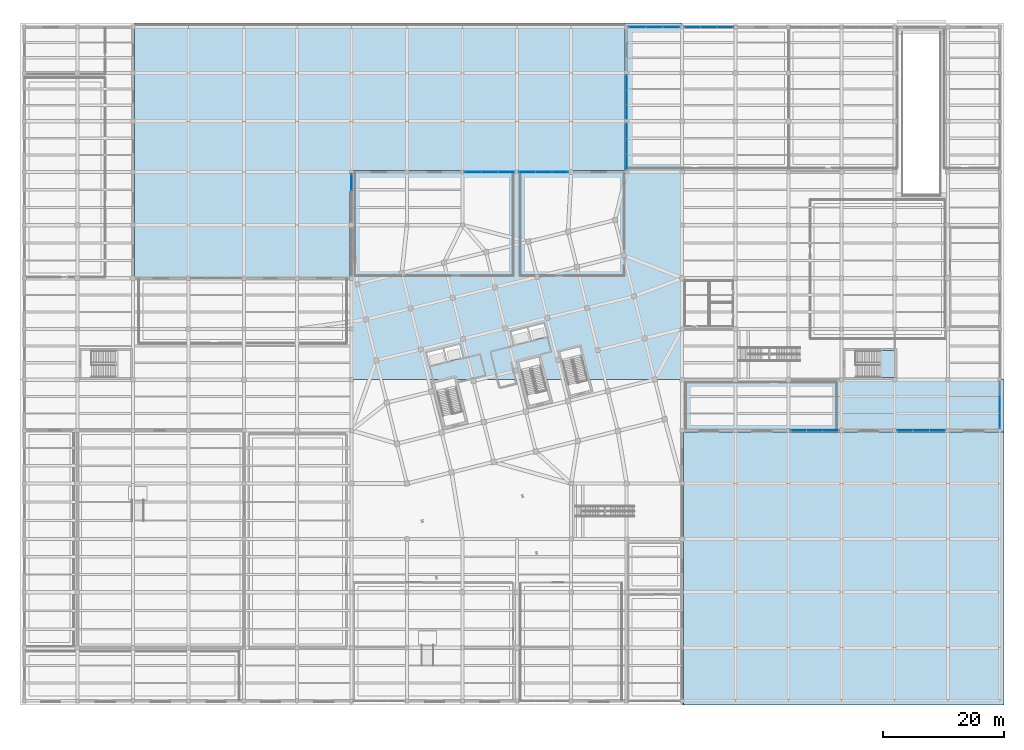
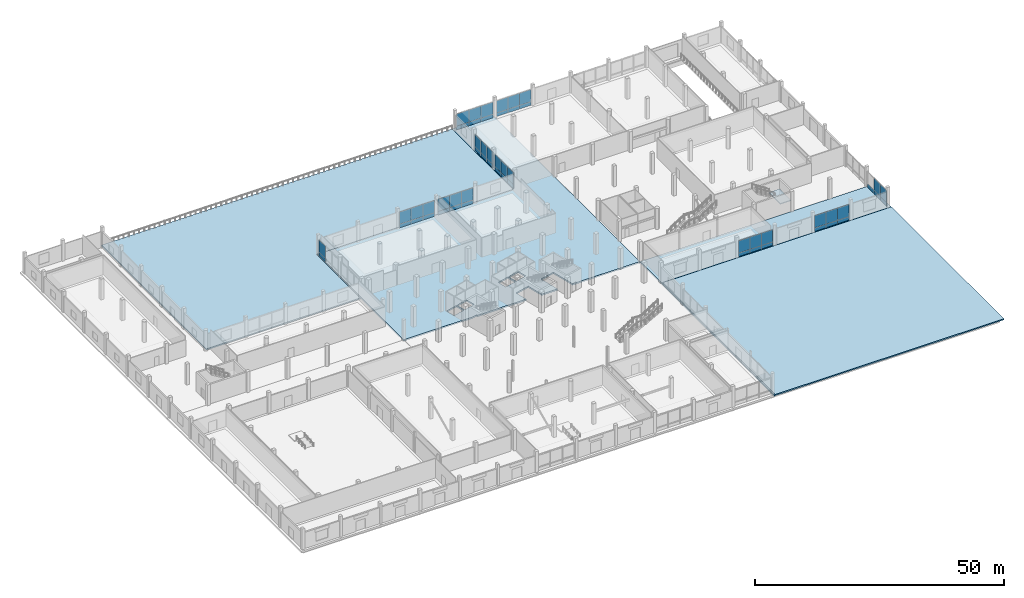
# One storey, part 55 of 73: 55 plates, 5 slabs, 11 elements without a shape of their own.
"""IFC4 building model written with IfcOpenShell, lengths in metres."""

import ifcopenshell
import ifcopenshell.guid

model = None  # the IFC model being written
_history = None  # IfcOwnerHistory: only IFC2X3 demands one
_inside = {}  # id of a spatial element -> (the spatial element, [elements in it])
_under = {}  # id of a project, library or spatial element -> (it, [spatial elements below it])
_declared = {}  # id of a project -> (the project, [libraries it declares])
_typed = {}  # id of a type object -> (the type object, [elements of that type])
_made_of = {}  # id of a material, layer set ... -> (it, [elements and type objects made of it])


def new_model(schema):
    """Start an empty IFC model of exactly this schema.

    Asked for "IFC4X3", IfcOpenShell would pick the latest addendum, in which some entities
    have other attributes; the version numbers below select the first issue.
    IFC2X3 requires an IfcOwnerHistory on every rooted entity: one is made here for all.
    """
    global model, _history
    if schema == "IFC4X3":
        model = ifcopenshell.file(schema_version=(4, 3, 0, 0))
    else:
        model = ifcopenshell.file(schema=schema)
    _inside.clear()
    _under.clear()
    _declared.clear()
    _typed.clear()
    _made_of.clear()
    _history = None
    if model.schema == "IFC2X3":
        org = make("IfcOrganization", Name="unknown")
        user = make(
            "IfcPersonAndOrganization",
            ThePerson=make("IfcPerson", FamilyName="unknown"),
            TheOrganization=org,
        )
        app = make(
            "IfcApplication",
            ApplicationDeveloper=org,
            Version="unknown",
            ApplicationFullName="unknown",
            ApplicationIdentifier="unknown",
        )
        _history = make(
            "IfcOwnerHistory",
            OwningUser=user,
            OwningApplication=app,
            ChangeAction="ADDED",
            CreationDate=0,
        )
    return model


def make(cls, **values):
    """One entity of the class cls with the attributes given. An attribute that is None is left unset."""
    return model.create_entity(
        cls, **{name: value for name, value in values.items() if value is not None}
    )


def rooted(cls, **values):
    """An entity with a GlobalId (a new one), such as an element, a storey or a relation."""
    return make(cls, GlobalId=ifcopenshell.guid.new(), OwnerHistory=_history, **values)


def si_unit(unit_type, name, prefix=None):
    """IfcSIUnit, for example si_unit("LENGTHUNIT", "METRE", prefix="MILLI")."""
    return make("IfcSIUnit", UnitType=unit_type, Prefix=prefix, Name=name)


def assignment(units):
    """IfcUnitAssignment: the units of a project."""
    return None if units is None else make("IfcUnitAssignment", Units=units)


def point(xyz):
    """IfcCartesianPoint."""
    return None if xyz is None else make("IfcCartesianPoint", Coordinates=xyz)


def direction(xyz):
    """IfcDirection."""
    return None if xyz is None else make("IfcDirection", DirectionRatios=xyz)


def frame(location, z_axis=None, x_axis=None):
    """IfcAxis2Placement3D, a coordinate frame: its origin and axes. An axis left out is left unset."""
    return make(
        "IfcAxis2Placement3D",
        Location=point(location),
        Axis=direction(z_axis),
        RefDirection=direction(x_axis),
    )


def frame_2d(location, x_axis=None):
    """IfcAxis2Placement2D, a coordinate frame in the plane: its origin and x axis."""
    return make(
        "IfcAxis2Placement2D", Location=point(location), RefDirection=direction(x_axis)
    )


def origin():
    """The frame at (0, 0, 0) with its axes left unset."""
    return frame((0.0, 0.0, 0.0))


def origin_2d():
    """The frame at (0, 0) in the plane with its x axis left unset."""
    return frame_2d((0.0, 0.0))


def place(relative_to, where):
    """IfcLocalPlacement: puts the frame where relative to a parent placement (None: the world)."""
    return make(
        "IfcLocalPlacement", PlacementRelTo=relative_to, RelativePlacement=where
    )


def context(
    kind, dimensions, precision=None, world=None, true_north=None, identifier=None
):
    """IfcGeometricRepresentationContext, for example the 3D "Model" context."""
    return make(
        "IfcGeometricRepresentationContext",
        ContextIdentifier=identifier,
        ContextType=kind,
        CoordinateSpaceDimension=dimensions,
        Precision=precision,
        WorldCoordinateSystem=world,
        TrueNorth=true_north,
    )


def subcontext(parent, identifier, kind, view, scale=None):
    """IfcGeometricRepresentationSubContext, for example "Body" below "Model"."""
    return make(
        "IfcGeometricRepresentationSubContext",
        ContextIdentifier=identifier,
        ContextType=kind,
        ParentContext=parent,
        TargetScale=scale,
        TargetView=view,
    )


def project(units=None, contexts=None):
    """IfcProject with its units and contexts."""
    return rooted(
        "IfcProject",
        Name="project",
        RepresentationContexts=contexts,
        UnitsInContext=assignment(units),
    )


def spatial(cls, under=None, at=None, **own):
    """A site, building, storey or space (cls), placed at a placement, below another one or the project."""
    s = rooted(cls, ObjectPlacement=at, **own)
    if under is not None:
        _under.setdefault(under.id(), (under, []))[1].append(s)
    return s


def polyline(points):
    """IfcPolyline through the points."""
    return make("IfcPolyline", Points=[point(p) for p in points])


def profile(cls, at=None, kind="AREA", **sizes):
    """A parametric profile (cls). Its sizes go by their IFC names, for example OverallWidth=200.0."""
    return make(cls, ProfileType=kind, Position=at, **sizes)


def rectangle(**sizes):
    """IfcRectangleProfileDef."""
    return profile("IfcRectangleProfileDef", **sizes)


def outline(outer, holes=None, kind="AREA"):
    """IfcArbitraryClosedProfileDef: a profile drawn as a closed curve; with holes, ...WithVoids."""
    if holes is None:
        return make("IfcArbitraryClosedProfileDef", ProfileType=kind, OuterCurve=outer)
    return make(
        "IfcArbitraryProfileDefWithVoids",
        ProfileType=kind,
        OuterCurve=outer,
        InnerCurves=holes,
    )


def extrude(swept, where, along, depth):
    """IfcExtrudedAreaSolid: the profile swept, set in the frame where, extruded along a direction by depth."""
    return make(
        "IfcExtrudedAreaSolid",
        SweptArea=swept,
        Position=where,
        ExtrudedDirection=direction(along),
        Depth=depth,
    )


def shape(context_of_items, identifier, shape_type, items):
    """IfcShapeRepresentation: the items that make up one representation, for example the "Body"."""
    return make(
        "IfcShapeRepresentation",
        ContextOfItems=context_of_items,
        RepresentationIdentifier=identifier,
        RepresentationType=shape_type,
        Items=items,
    )


def material(Name=None, Category=None):
    """IfcMaterial."""
    return make("IfcMaterial", Name=Name, Category=Category)


def layer(
    of_material, thickness, ventilated=None, Name=None, Category=None, Priority=None
):
    """IfcMaterialLayer: one layer of a wall or slab, of a material (None: an air gap)."""
    return make(
        "IfcMaterialLayer",
        Material=of_material,
        LayerThickness=thickness,
        IsVentilated=ventilated,
        Name=Name,
        Category=Category,
        Priority=Priority,
    )


def layer_set(layers, Name=None):
    """IfcMaterialLayerSet."""
    return make("IfcMaterialLayerSet", MaterialLayers=layers, LayerSetName=Name)


def made_of(thing, what):
    """Note that an element or type object is made of a material, layer set ...; save() writes the relation."""
    if what is not None:
        _made_of.setdefault(what.id(), (what, []))[1].append(thing)
    return thing


def type_object(cls, material=None, **own):
    """A type object (cls), such as IfcWallType, which elements share."""
    return made_of(rooted(cls, **own), material)


def element(
    cls,
    number,
    at=None,
    inside=None,
    cuts=None,
    type_object=None,
    material=None,
    context=None,
    identifier="Body",
    shape_type=None,
    held_by="IfcProductDefinitionShape",
    body=None,
    shapes=None,
    **own,
):
    """One element of the class cls, such as IfcWall. Its Tag is "e" and its number.

    at: its placement. inside: the storey or other place that contains it. cuts: it is an
    opening in that element (IfcRelVoidsElement). A single representation is given by context,
    identifier, shape_type and body (its items); several are given by shapes. held_by: the class
    of the entity that holds the representations. save() writes the other relations.
    """
    e = rooted(cls, Tag="e%d" % number, ObjectPlacement=at, **own)
    if body is not None:
        shapes = [shape(context, identifier, shape_type, body)]
    if shapes is not None:
        e.Representation = make(held_by, Representations=shapes)
    if inside is not None:
        _inside.setdefault(inside.id(), (inside, []))[1].append(e)
    if cuts is not None:
        rooted(
            "IfcRelVoidsElement", RelatingBuildingElement=cuts, RelatedOpeningElement=e
        )
    if type_object is not None:
        _typed.setdefault(type_object.id(), (type_object, []))[1].append(e)
    return made_of(e, material)


def aggregate(whole, parts):
    """IfcRelAggregates: a whole, such as a stair, and the parts it consists of."""
    return rooted("IfcRelAggregates", RelatingObject=whole, RelatedObjects=parts)


def save(model, path):
    """Write the relations noted so far, then the file.

    IfcRelAggregates (storeys below a building ...), IfcRelContainedInSpatialStructure (elements
    in a storey), IfcRelDefinesByType, IfcRelAssociatesMaterial and IfcRelDeclares: one each for
    every whole, place, type object, material and project.
    """
    for whole, parts in _under.values():
        aggregate(whole, parts)
    for where, things in _inside.values():
        rooted(
            "IfcRelContainedInSpatialStructure",
            RelatedElements=things,
            RelatingStructure=where,
        )
    for kind, things in _typed.values():
        rooted("IfcRelDefinesByType", RelatedObjects=things, RelatingType=kind)
    for what, things in _made_of.values():
        rooted("IfcRelAssociatesMaterial", RelatedObjects=things, RelatingMaterial=what)
    for by, libraries in _declared.values():
        rooted("IfcRelDeclares", RelatingContext=by, RelatedDefinitions=libraries)
    model.write(path)


model = new_model("IFC4")

# Units and contexts
model_context = context("Model", 3, precision=1e-05, world=origin(), true_north=direction((0.0, 1.0)))
body_context = subcontext(model_context, "Body", "Model", "MODEL_VIEW")
ifc_project = project(units=[si_unit("LENGTHUNIT", "METRE"), si_unit("AREAUNIT", "SQUARE_METRE"), si_unit("VOLUMEUNIT", "CUBIC_METRE"), si_unit("PLANEANGLEUNIT", "RADIAN"), si_unit("MASSUNIT", "GRAM", prefix="KILO")], contexts=[model_context])

# Site, building, storey
site_placement = place(None, origin())
site = spatial("IfcSite", under=ifc_project, at=site_placement, CompositionType="ELEMENT")
building_placement = place(site_placement, origin())
building = spatial("IfcBuilding", under=site, at=building_placement, Name="Meriwether Solvik Hall", CompositionType="ELEMENT")
storey_placement = place(building_placement, origin())
storey = spatial("IfcBuildingStorey", under=building, at=storey_placement, Name="L00", CompositionType="ELEMENT", Elevation=0.0)

# Curtain wall, plates
ifc_material_1 = material(Name="Thermally Broken Anodised Aluminium 6063-T6 and Low-E Glass", Category="aluminium")
ifc_layer_1 = layer(ifc_material_1, 0.179931640625)
ifc_layer_set_1 = layer_set([ifc_layer_1], Name="Thermally Broken Anodised Aluminium 6063-T6 and Low-E Glass")
curtain_wall_type = type_object("IfcCurtainWallType", Name="CW-SF-POD-A", PredefinedType="USERDEFINED", material=ifc_layer_set_1)
curtain_wall_1_placement = place(storey_placement, origin())
curtain_wall_1 = element("IfcCurtainWall", 1, at=curtain_wall_1_placement, inside=storey, type_object=curtain_wall_type, Name="Curtain Wall wing_XF_15_14 (L00)", ObjectType="STICK STOREFRONT GLAZING", PredefinedType="USERDEFINED")
ifc_material_2 = material(Name="Acoustic Laminated Insulating Glass", Category="glass")
ifc_layer_2 = layer(ifc_material_2, 0.035888671875)
ifc_layer_set_2 = layer_set([ifc_layer_2], Name="Acoustic Laminated Insulating Glass")
plate_type_1 = type_object("IfcPlateType", Name="PLT-GLZ-270X260", PredefinedType="CURTAIN_PANEL", material=ifc_layer_set_2)
plate_1_placement = place(storey_placement, frame((138.78955078125, 50.0, 0.8798828125), z_axis=(0.0, 0.0, 1.0), x_axis=(-1.0, 0.0, 0.0)))
plate_1 = element("IfcPlate", 2, at=plate_1_placement, type_object=plate_type_1, Name="Low-E Vision Glazing Panel 1", PredefinedType="CURTAIN_PANEL", context=body_context, shape_type="SweptSolid", body=[
    extrude(rectangle(XDim=2.61279296875, YDim=0.033935546875, at=origin_2d()), origin(), (0.0, 0.0, 1.0), 3.0),
])
plate_2_placement = place(storey_placement, frame((136.14990234375, 50.0, 0.8798828125), z_axis=(0.0, 0.0, 1.0), x_axis=(-1.0, 0.0, 0.0)))
plate_2 = element("IfcPlate", 3, at=plate_2_placement, type_object=plate_type_1, Name="Low-E Vision Glazing Panel 2", PredefinedType="CURTAIN_PANEL", context=body_context, shape_type="SweptSolid", body=[
    extrude(rectangle(XDim=2.650634765625, YDim=0.033935546875, at=origin_2d()), origin(), (0.0, 0.0, 1.0), 3.0),
])
plate_3_placement = place(storey_placement, frame((133.51025390625, 50.0, 0.8798828125), z_axis=(0.0, 0.0, 1.0), x_axis=(-1.0, 0.0, 0.0)))
plate_3 = element("IfcPlate", 4, at=plate_3_placement, type_object=plate_type_1, Name="Low-E Vision Glazing Panel 3", PredefinedType="CURTAIN_PANEL", context=body_context, shape_type="SweptSolid", body=[
    extrude(rectangle(XDim=2.61279296875, YDim=0.033935546875, at=origin_2d()), origin(), (0.0, 0.0, 1.0), 3.0),
])

curtain_wall_2_placement = place(storey_placement, origin())
curtain_wall_2 = element("IfcCurtainWall", 5, at=curtain_wall_2_placement, inside=storey, type_object=curtain_wall_type, Name="Curtain Wall wing_XF_17_16 (L00)", ObjectType="STICK STOREFRONT GLAZING", PredefinedType="USERDEFINED")
plate_4_placement = place(storey_placement, frame((156.472900390625, 50.0, 0.8798828125), z_axis=(0.0, 0.0, 1.0), x_axis=(-1.0, 0.0, 0.0)))
plate_4 = element("IfcPlate", 6, at=plate_4_placement, type_object=plate_type_1, Name="Low-E Vision Glazing Panel 1", PredefinedType="CURTAIN_PANEL", context=body_context, shape_type="SweptSolid", body=[
    extrude(rectangle(XDim=2.64599609375, YDim=0.033935546875, at=origin_2d()), origin(), (0.0, 0.0, 1.0), 3.0),
])
plate_5_placement = place(storey_placement, frame((153.800048828125, 50.0, 0.8798828125), z_axis=(0.0, 0.0, 1.0), x_axis=(-1.0, 0.0, 0.0)))
plate_5 = element("IfcPlate", 7, at=plate_5_placement, type_object=plate_type_1, Name="Low-E Vision Glazing Panel 2", PredefinedType="CURTAIN_PANEL", context=body_context, shape_type="SweptSolid", body=[
    extrude(rectangle(XDim=2.68408203125, YDim=0.033935546875, at=origin_2d()), origin(), (0.0, 0.0, 1.0), 3.0),
])
plate_6_placement = place(storey_placement, frame((151.126953125, 50.0, 0.8798828125), z_axis=(0.0, 0.0, 1.0), x_axis=(-1.0, 0.0, 0.0)))
plate_6 = element("IfcPlate", 8, at=plate_6_placement, type_object=plate_type_1, Name="Low-E Vision Glazing Panel 3", PredefinedType="CURTAIN_PANEL", context=body_context, shape_type="SweptSolid", body=[
    extrude(rectangle(XDim=2.64599609375, YDim=0.033935546875, at=origin_2d()), origin(), (0.0, 0.0, 1.0), 3.0),
])

curtain_wall_3_placement = place(storey_placement, origin())
curtain_wall_3 = element("IfcCurtainWall", 9, at=curtain_wall_3_placement, inside=storey, type_object=curtain_wall_type, Name="Curtain Wall wing_XK_9_24 (L00)", ObjectType="STICK STOREFRONT GLAZING", PredefinedType="USERDEFINED")
plate_7_placement = place(storey_placement, frame((79.560302734375, 92.800048828125, 0.8798828125), z_axis=(0.0, 0.0, 1.0), x_axis=(1.0, 0.0, 0.0)))
plate_7 = element("IfcPlate", 10, at=plate_7_placement, type_object=plate_type_1, Name="Low-E Vision Glazing Panel 1", PredefinedType="CURTAIN_PANEL", context=body_context, shape_type="SweptSolid", body=[
    extrude(rectangle(XDim=2.712646484375, YDim=0.033935546875, at=origin_2d()), origin(), (0.0, 0.0, 1.0), 3.0),
])
plate_8_placement = place(storey_placement, frame((82.300048828125, 92.800048828125, 0.8798828125), z_axis=(0.0, 0.0, 1.0), x_axis=(1.0, 0.0, 0.0)))
plate_8 = element("IfcPlate", 11, at=plate_8_placement, type_object=plate_type_1, Name="Low-E Vision Glazing Panel 2", PredefinedType="CURTAIN_PANEL", context=body_context, shape_type="SweptSolid", body=[
    extrude(rectangle(XDim=2.750732421875, YDim=0.033935546875, at=origin_2d()), origin(), (0.0, 0.0, 1.0), 3.0),
])
plate_9_placement = place(storey_placement, frame((85.03955078125, 92.800048828125, 0.8798828125), z_axis=(0.0, 0.0, 1.0), x_axis=(1.0, 0.0, 0.0)))
plate_9 = element("IfcPlate", 12, at=plate_9_placement, type_object=plate_type_1, Name="Low-E Vision Glazing Panel 3", PredefinedType="CURTAIN_PANEL", context=body_context, shape_type="SweptSolid", body=[
    extrude(rectangle(XDim=2.712646484375, YDim=0.033935546875, at=origin_2d()), origin(), (0.0, 0.0, 1.0), 3.0),
])

curtain_wall_4_placement = place(storey_placement, origin())
curtain_wall_4 = element("IfcCurtainWall", 13, at=curtain_wall_4_placement, inside=storey, type_object=curtain_wall_type, Name="Curtain Wall wing_XK_10_25 (L00)", ObjectType="STICK STOREFRONT GLAZING", PredefinedType="USERDEFINED")
plate_10_placement = place(storey_placement, frame((88.543701171875, 92.800048828125, 0.8798828125), z_axis=(0.0, 0.0, 1.0), x_axis=(1.0, 0.0, 0.0)))
plate_10 = element("IfcPlate", 14, at=plate_10_placement, type_object=plate_type_1, Name="Low-E Vision Glazing Panel 1", PredefinedType="CURTAIN_PANEL", context=body_context, shape_type="SweptSolid", body=[
    extrude(rectangle(XDim=2.67919921875, YDim=0.033935546875, at=origin_2d()), origin(), (0.0, 0.0, 1.0), 3.0),
])
plate_11_placement = place(storey_placement, frame((91.25, 92.800048828125, 0.8798828125), z_axis=(0.0, 0.0, 1.0), x_axis=(1.0, 0.0, 0.0)))
plate_11 = element("IfcPlate", 15, at=plate_11_placement, type_object=plate_type_1, Name="Low-E Vision Glazing Panel 2", PredefinedType="CURTAIN_PANEL", context=body_context, shape_type="SweptSolid", body=[
    extrude(rectangle(XDim=2.71728515625, YDim=0.033935546875, at=origin_2d()), origin(), (0.0, 0.0, 1.0), 3.0),
])
plate_12_placement = place(storey_placement, frame((93.956298828125, 92.800048828125, 0.8798828125), z_axis=(0.0, 0.0, 1.0), x_axis=(1.0, 0.0, 0.0)))
plate_12 = element("IfcPlate", 16, at=plate_12_placement, type_object=plate_type_1, Name="Low-E Vision Glazing Panel 3", PredefinedType="CURTAIN_PANEL", context=body_context, shape_type="SweptSolid", body=[
    extrude(rectangle(XDim=2.67919921875, YDim=0.033935546875, at=origin_2d()), origin(), (0.0, 0.0, 1.0), 3.0),
])

curtain_wall_5_placement = place(storey_placement, origin())
curtain_wall_5 = element("IfcCurtainWall", 17, at=curtain_wall_5_placement, inside=storey, type_object=curtain_wall_type, Name="Curtain Wall wing_XN_12_29 (L00)", ObjectType="STICK STOREFRONT GLAZING", PredefinedType="USERDEFINED")
plate_13_placement = place(storey_placement, frame((106.777099609375, 116.800048828125, 0.8798828125), z_axis=(0.0, 0.0, 1.0), x_axis=(1.0, 0.0, 0.0)))
plate_13 = element("IfcPlate", 18, at=plate_13_placement, type_object=plate_type_1, Name="Low-E Vision Glazing Panel 1", PredefinedType="CURTAIN_PANEL", context=body_context, shape_type="SweptSolid", body=[
    extrude(rectangle(XDim=2.7958984375, YDim=0.033935546875, at=origin_2d()), origin(), (0.0, 0.0, 1.0), 3.0),
])
plate_14_placement = place(storey_placement, frame((109.60009765625, 116.800048828125, 0.8798828125), z_axis=(0.0, 0.0, 1.0), x_axis=(1.0, 0.0, 0.0)))
plate_14 = element("IfcPlate", 19, at=plate_14_placement, type_object=plate_type_1, Name="Low-E Vision Glazing Panel 2", PredefinedType="CURTAIN_PANEL", context=body_context, shape_type="SweptSolid", body=[
    extrude(rectangle(XDim=2.833984375, YDim=0.033935546875, at=origin_2d()), origin(), (0.0, 0.0, 1.0), 3.0),
])
plate_15_placement = place(storey_placement, frame((112.423095703125, 116.800048828125, 0.8798828125), z_axis=(0.0, 0.0, 1.0), x_axis=(1.0, 0.0, 0.0)))
plate_15 = element("IfcPlate", 20, at=plate_15_placement, type_object=plate_type_1, Name="Low-E Vision Glazing Panel 3", PredefinedType="CURTAIN_PANEL", context=body_context, shape_type="SweptSolid", body=[
    extrude(rectangle(XDim=2.7958984375, YDim=0.033935546875, at=origin_2d()), origin(), (0.0, 0.0, 1.0), 3.0),
])

curtain_wall_6_placement = place(storey_placement, origin())
curtain_wall_6 = element("IfcCurtainWall", 21, at=curtain_wall_6_placement, inside=storey, type_object=curtain_wall_type, Name="Curtain Wall wing_XN_13_30 (L00)", ObjectType="STICK STOREFRONT GLAZING", PredefinedType="USERDEFINED")
plate_16_placement = place(storey_placement, frame((115.910400390625, 116.800048828125, 0.8798828125), z_axis=(0.0, 0.0, 1.0), x_axis=(1.0, 0.0, 0.0)))
plate_16 = element("IfcPlate", 22, at=plate_16_placement, type_object=plate_type_1, Name="Low-E Vision Glazing Panel 1", PredefinedType="CURTAIN_PANEL", context=body_context, shape_type="SweptSolid", body=[
    extrude(rectangle(XDim=2.66259765625, YDim=0.033935546875, at=origin_2d()), origin(), (0.0, 0.0, 1.0), 3.0),
])
plate_17_placement = place(storey_placement, frame((118.60009765625, 116.800048828125, 0.8798828125), z_axis=(0.0, 0.0, 1.0), x_axis=(1.0, 0.0, 0.0)))
plate_17 = element("IfcPlate", 23, at=plate_17_placement, type_object=plate_type_1, Name="Low-E Vision Glazing Panel 2", PredefinedType="CURTAIN_PANEL", context=body_context, shape_type="SweptSolid", body=[
    extrude(rectangle(XDim=2.70068359375, YDim=0.033935546875, at=origin_2d()), origin(), (0.0, 0.0, 1.0), 3.0),
])
plate_18_placement = place(storey_placement, frame((121.28955078125, 116.800048828125, 0.8798828125), z_axis=(0.0, 0.0, 1.0), x_axis=(1.0, 0.0, 0.0)))
plate_18 = element("IfcPlate", 24, at=plate_18_placement, type_object=plate_type_1, Name="Low-E Vision Glazing Panel 3", PredefinedType="CURTAIN_PANEL", context=body_context, shape_type="SweptSolid", body=[
    extrude(rectangle(XDim=2.66259765625, YDim=0.033935546875, at=origin_2d()), origin(), (0.0, 0.0, 1.0), 3.0),
])

# Curtain wall, plate
curtain_wall_7_placement = place(storey_placement, origin())
curtain_wall_7 = element("IfcCurtainWall", 25, at=curtain_wall_7_placement, inside=storey, type_object=curtain_wall_type, Name="Curtain Wall wing_Y7_10_55 (L00)", ObjectType="STICK STOREFRONT GLAZING", PredefinedType="USERDEFINED")
plate_19_placement = place(storey_placement, frame((59.39990234375, 91.089599609375, 0.8798828125), z_axis=(0.0, 0.0, 1.0), x_axis=(0.0, 1.0, 0.0)))
plate_19 = element("IfcPlate", 26, at=plate_19_placement, type_object=plate_type_1, Name="Low-E Vision Glazing Panel 3", PredefinedType="CURTAIN_PANEL", context=body_context, shape_type="SweptSolid", body=[
    extrude(rectangle(XDim=2.61279296875, YDim=0.033935546875, at=origin_2d()), origin(), (0.0, 0.0, 1.0), 3.0),
])

# Curtain wall, plates
curtain_wall_8_placement = place(storey_placement, origin())
curtain_wall_8 = element("IfcCurtainWall", 27, at=curtain_wall_8_placement, inside=storey, type_object=curtain_wall_type, Name="Curtain Wall wing_Y12_11_56 (L00)", ObjectType="STICK STOREFRONT GLAZING", PredefinedType="USERDEFINED")
plate_20_placement = place(storey_placement, frame((105.0, 94.46044921875, 0.8798828125), z_axis=(0.0, 0.0, 1.0), x_axis=(0.0, 1.0, 0.0)))
plate_20 = element("IfcPlate", 28, at=plate_20_placement, type_object=plate_type_1, Name="Low-E Vision Glazing Panel 1", PredefinedType="CURTAIN_PANEL", context=body_context, shape_type="SweptSolid", body=[
    extrude(rectangle(XDim=2.5126953125, YDim=0.033935546875, at=origin_2d()), origin(), (0.0, 0.0, 1.0), 3.0),
])
plate_21_placement = place(storey_placement, frame((105.0, 97.0, 0.8798828125), z_axis=(0.0, 0.0, 1.0), x_axis=(0.0, 1.0, 0.0)))
plate_21 = element("IfcPlate", 29, at=plate_21_placement, type_object=plate_type_1, Name="Low-E Vision Glazing Panel 2", PredefinedType="CURTAIN_PANEL", context=body_context, shape_type="SweptSolid", body=[
    extrude(rectangle(XDim=2.55078125, YDim=0.033935546875, at=origin_2d()), origin(), (0.0, 0.0, 1.0), 3.0),
])
plate_22_placement = place(storey_placement, frame((105.0, 99.53955078125, 0.8798828125), z_axis=(0.0, 0.0, 1.0), x_axis=(0.0, 1.0, 0.0)))
plate_22 = element("IfcPlate", 30, at=plate_22_placement, type_object=plate_type_1, Name="Low-E Vision Glazing Panel 3", PredefinedType="CURTAIN_PANEL", context=body_context, shape_type="SweptSolid", body=[
    extrude(rectangle(XDim=2.5126953125, YDim=0.033935546875, at=origin_2d()), origin(), (0.0, 0.0, 1.0), 3.0),
])

curtain_wall_9_placement = place(storey_placement, origin())
curtain_wall_9 = element("IfcCurtainWall", 31, at=curtain_wall_9_placement, inside=storey, type_object=curtain_wall_type, Name="Curtain Wall wing_Y12_12_57 (L00)", ObjectType="STICK STOREFRONT GLAZING", PredefinedType="USERDEFINED")
plate_23_placement = place(storey_placement, frame((105.0, 102.793701171875, 0.8798828125), z_axis=(0.0, 0.0, 1.0), x_axis=(0.0, 1.0, 0.0)))
plate_23 = element("IfcPlate", 32, at=plate_23_placement, type_object=plate_type_1, Name="Low-E Vision Glazing Panel 1", PredefinedType="CURTAIN_PANEL", context=body_context, shape_type="SweptSolid", body=[
    extrude(rectangle(XDim=2.37939453125, YDim=0.033935546875, at=origin_2d()), origin(), (0.0, 0.0, 1.0), 3.0),
])
plate_24_placement = place(storey_placement, frame((105.0, 105.199951171875, 0.8798828125), z_axis=(0.0, 0.0, 1.0), x_axis=(0.0, 1.0, 0.0)))
plate_24 = element("IfcPlate", 33, at=plate_24_placement, type_object=plate_type_1, Name="Low-E Vision Glazing Panel 2", PredefinedType="CURTAIN_PANEL", context=body_context, shape_type="SweptSolid", body=[
    extrude(rectangle(XDim=2.417236328125, YDim=0.033935546875, at=origin_2d()), origin(), (0.0, 0.0, 1.0), 3.0),
])
plate_25_placement = place(storey_placement, frame((105.0, 107.6064453125, 0.8798828125), z_axis=(0.0, 0.0, 1.0), x_axis=(0.0, 1.0, 0.0)))
plate_25 = element("IfcPlate", 34, at=plate_25_placement, type_object=plate_type_1, Name="Low-E Vision Glazing Panel 3", PredefinedType="CURTAIN_PANEL", context=body_context, shape_type="SweptSolid", body=[
    extrude(rectangle(XDim=2.37939453125, YDim=0.033935546875, at=origin_2d()), origin(), (0.0, 0.0, 1.0), 3.0),
])

curtain_wall_10_placement = place(storey_placement, origin())
curtain_wall_10 = element("IfcCurtainWall", 35, at=curtain_wall_10_placement, inside=storey, type_object=curtain_wall_type, Name="Curtain Wall wing_Y19_6_64 (L00)", ObjectType="STICK STOREFRONT GLAZING", PredefinedType="USERDEFINED")
plate_26_placement = place(storey_placement, frame((166.800048828125, 54.199951171875, 0.8798828125), z_axis=(0.0, 0.0, 1.0), x_axis=(0.0, -1.0, 0.0)))
plate_26 = element("IfcPlate", 36, at=plate_26_placement, type_object=plate_type_1, Name="Low-E Vision Glazing Panel 2", PredefinedType="CURTAIN_PANEL", context=body_context, shape_type="SweptSolid", body=[
    extrude(rectangle(XDim=2.5673828125, YDim=0.033935546875, at=origin_2d()), origin(), (0.0, 0.0, 1.0), 3.0),
])
plate_27_placement = place(storey_placement, frame((166.800048828125, 51.6435546875, 0.8798828125), z_axis=(0.0, 0.0, 1.0), x_axis=(0.0, -1.0, 0.0)))
plate_27 = element("IfcPlate", 37, at=plate_27_placement, type_object=plate_type_1, Name="Low-E Vision Glazing Panel 3", PredefinedType="CURTAIN_PANEL", context=body_context, shape_type="SweptSolid", body=[
    extrude(rectangle(XDim=2.529296875, YDim=0.033935546875, at=origin_2d()), origin(), (0.0, 0.0, 1.0), 3.0),
])

# Plate
ifc_material_3 = material(Name="Mineral-Wool Insulated Anodised Aluminium 6063-T6", Category="aluminium")
ifc_layer_3 = layer(ifc_material_3, 0.044921875)
ifc_layer_set_3 = layer_set([ifc_layer_3], Name="Mineral-Wool Insulated Anodised Aluminium 6063-T6")
plate_type_2 = type_object("IfcPlateType", Name="PLT-SPN-270X105", PredefinedType="CURTAIN_PANEL", material=ifc_layer_set_3)
plate_28_placement = place(storey_placement, frame((138.78955078125, 50.0, 0.0), z_axis=(0.0, 0.0, 1.0), x_axis=(-1.0, 0.0, 0.0)))
plate_28 = element("IfcPlate", 38, at=plate_28_placement, type_object=plate_type_2, Name="Insulated Spandrel Panel 1", PredefinedType="CURTAIN_PANEL", context=body_context, shape_type="SweptSolid", body=[
    extrude(rectangle(XDim=2.61279296875, YDim=0.044921875, at=origin_2d()), origin(), (0.0, 0.0, 1.0), 0.8798828125),
])

plate_29_placement = place(storey_placement, frame((136.14990234375, 50.0, 0.0), z_axis=(0.0, 0.0, 1.0), x_axis=(-1.0, 0.0, 0.0)))
plate_29 = element("IfcPlate", 39, at=plate_29_placement, type_object=plate_type_2, Name="Insulated Spandrel Panel 2", PredefinedType="CURTAIN_PANEL", context=body_context, shape_type="SweptSolid", body=[
    extrude(rectangle(XDim=2.650634765625, YDim=0.044921875, at=origin_2d()), origin(), (0.0, 0.0, 1.0), 0.8798828125),
])

plate_30_placement = place(storey_placement, frame((133.51025390625, 50.0, 0.0), z_axis=(0.0, 0.0, 1.0), x_axis=(-1.0, 0.0, 0.0)))
plate_30 = element("IfcPlate", 40, at=plate_30_placement, type_object=plate_type_2, Name="Insulated Spandrel Panel 3", PredefinedType="CURTAIN_PANEL", context=body_context, shape_type="SweptSolid", body=[
    extrude(rectangle(XDim=2.61279296875, YDim=0.044921875, at=origin_2d()), origin(), (0.0, 0.0, 1.0), 0.8798828125),
])

aggregate(curtain_wall_1, [plate_28, plate_1, plate_29, plate_2, plate_30, plate_3])

plate_31_placement = place(storey_placement, frame((156.472900390625, 50.0, 0.0), z_axis=(0.0, 0.0, 1.0), x_axis=(-1.0, 0.0, 0.0)))
plate_31 = element("IfcPlate", 41, at=plate_31_placement, type_object=plate_type_2, Name="Insulated Spandrel Panel 1", PredefinedType="CURTAIN_PANEL", context=body_context, shape_type="SweptSolid", body=[
    extrude(rectangle(XDim=2.64599609375, YDim=0.044921875, at=origin_2d()), origin(), (0.0, 0.0, 1.0), 0.8798828125),
])

plate_32_placement = place(storey_placement, frame((153.800048828125, 50.0, 0.0), z_axis=(0.0, 0.0, 1.0), x_axis=(-1.0, 0.0, 0.0)))
plate_32 = element("IfcPlate", 42, at=plate_32_placement, type_object=plate_type_2, Name="Insulated Spandrel Panel 2", PredefinedType="CURTAIN_PANEL", context=body_context, shape_type="SweptSolid", body=[
    extrude(rectangle(XDim=2.68408203125, YDim=0.044921875, at=origin_2d()), origin(), (0.0, 0.0, 1.0), 0.8798828125),
])

plate_33_placement = place(storey_placement, frame((151.126953125, 50.0, 0.0), z_axis=(0.0, 0.0, 1.0), x_axis=(-1.0, 0.0, 0.0)))
plate_33 = element("IfcPlate", 43, at=plate_33_placement, type_object=plate_type_2, Name="Insulated Spandrel Panel 3", PredefinedType="CURTAIN_PANEL", context=body_context, shape_type="SweptSolid", body=[
    extrude(rectangle(XDim=2.64599609375, YDim=0.044921875, at=origin_2d()), origin(), (0.0, 0.0, 1.0), 0.8798828125),
])

aggregate(curtain_wall_2, [plate_31, plate_4, plate_32, plate_5, plate_33, plate_6])

plate_34_placement = place(storey_placement, frame((79.560302734375, 92.800048828125, 0.0), z_axis=(0.0, 0.0, 1.0), x_axis=(1.0, 0.0, 0.0)))
plate_34 = element("IfcPlate", 44, at=plate_34_placement, type_object=plate_type_2, Name="Insulated Spandrel Panel 1", PredefinedType="CURTAIN_PANEL", context=body_context, shape_type="SweptSolid", body=[
    extrude(rectangle(XDim=2.712646484375, YDim=0.044921875, at=origin_2d()), origin(), (0.0, 0.0, 1.0), 0.8798828125),
])

plate_35_placement = place(storey_placement, frame((82.300048828125, 92.800048828125, 0.0), z_axis=(0.0, 0.0, 1.0), x_axis=(1.0, 0.0, 0.0)))
plate_35 = element("IfcPlate", 45, at=plate_35_placement, type_object=plate_type_2, Name="Insulated Spandrel Panel 2", PredefinedType="CURTAIN_PANEL", context=body_context, shape_type="SweptSolid", body=[
    extrude(rectangle(XDim=2.750732421875, YDim=0.044921875, at=origin_2d()), origin(), (0.0, 0.0, 1.0), 0.8798828125),
])

plate_36_placement = place(storey_placement, frame((85.03955078125, 92.800048828125, 0.0), z_axis=(0.0, 0.0, 1.0), x_axis=(1.0, 0.0, 0.0)))
plate_36 = element("IfcPlate", 46, at=plate_36_placement, type_object=plate_type_2, Name="Insulated Spandrel Panel 3", PredefinedType="CURTAIN_PANEL", context=body_context, shape_type="SweptSolid", body=[
    extrude(rectangle(XDim=2.712646484375, YDim=0.044921875, at=origin_2d()), origin(), (0.0, 0.0, 1.0), 0.8798828125),
])

aggregate(curtain_wall_3, [plate_34, plate_7, plate_35, plate_8, plate_36, plate_9])

plate_37_placement = place(storey_placement, frame((88.543701171875, 92.800048828125, 0.0), z_axis=(0.0, 0.0, 1.0), x_axis=(1.0, 0.0, 0.0)))
plate_37 = element("IfcPlate", 47, at=plate_37_placement, type_object=plate_type_2, Name="Insulated Spandrel Panel 1", PredefinedType="CURTAIN_PANEL", context=body_context, shape_type="SweptSolid", body=[
    extrude(rectangle(XDim=2.67919921875, YDim=0.044921875, at=origin_2d()), origin(), (0.0, 0.0, 1.0), 0.8798828125),
])

plate_38_placement = place(storey_placement, frame((91.25, 92.800048828125, 0.0), z_axis=(0.0, 0.0, 1.0), x_axis=(1.0, 0.0, 0.0)))
plate_38 = element("IfcPlate", 48, at=plate_38_placement, type_object=plate_type_2, Name="Insulated Spandrel Panel 2", PredefinedType="CURTAIN_PANEL", context=body_context, shape_type="SweptSolid", body=[
    extrude(rectangle(XDim=2.71728515625, YDim=0.044921875, at=origin_2d()), origin(), (0.0, 0.0, 1.0), 0.8798828125),
])

plate_39_placement = place(storey_placement, frame((93.956298828125, 92.800048828125, 0.0), z_axis=(0.0, 0.0, 1.0), x_axis=(1.0, 0.0, 0.0)))
plate_39 = element("IfcPlate", 49, at=plate_39_placement, type_object=plate_type_2, Name="Insulated Spandrel Panel 3", PredefinedType="CURTAIN_PANEL", context=body_context, shape_type="SweptSolid", body=[
    extrude(rectangle(XDim=2.67919921875, YDim=0.044921875, at=origin_2d()), origin(), (0.0, 0.0, 1.0), 0.8798828125),
])

aggregate(curtain_wall_4, [plate_37, plate_10, plate_38, plate_11, plate_39, plate_12])

plate_40_placement = place(storey_placement, frame((106.777099609375, 116.800048828125, 0.0), z_axis=(0.0, 0.0, 1.0), x_axis=(1.0, 0.0, 0.0)))
plate_40 = element("IfcPlate", 50, at=plate_40_placement, type_object=plate_type_2, Name="Insulated Spandrel Panel 1", PredefinedType="CURTAIN_PANEL", context=body_context, shape_type="SweptSolid", body=[
    extrude(rectangle(XDim=2.7958984375, YDim=0.044921875, at=origin_2d()), origin(), (0.0, 0.0, 1.0), 0.8798828125),
])

plate_41_placement = place(storey_placement, frame((109.60009765625, 116.800048828125, 0.0), z_axis=(0.0, 0.0, 1.0), x_axis=(1.0, 0.0, 0.0)))
plate_41 = element("IfcPlate", 51, at=plate_41_placement, type_object=plate_type_2, Name="Insulated Spandrel Panel 2", PredefinedType="CURTAIN_PANEL", context=body_context, shape_type="SweptSolid", body=[
    extrude(rectangle(XDim=2.833984375, YDim=0.044921875, at=origin_2d()), origin(), (0.0, 0.0, 1.0), 0.8798828125),
])

plate_42_placement = place(storey_placement, frame((112.423095703125, 116.800048828125, 0.0), z_axis=(0.0, 0.0, 1.0), x_axis=(1.0, 0.0, 0.0)))
plate_42 = element("IfcPlate", 52, at=plate_42_placement, type_object=plate_type_2, Name="Insulated Spandrel Panel 3", PredefinedType="CURTAIN_PANEL", context=body_context, shape_type="SweptSolid", body=[
    extrude(rectangle(XDim=2.7958984375, YDim=0.044921875, at=origin_2d()), origin(), (0.0, 0.0, 1.0), 0.8798828125),
])

aggregate(curtain_wall_5, [plate_40, plate_13, plate_41, plate_14, plate_42, plate_15])

plate_43_placement = place(storey_placement, frame((115.910400390625, 116.800048828125, 0.0), z_axis=(0.0, 0.0, 1.0), x_axis=(1.0, 0.0, 0.0)))
plate_43 = element("IfcPlate", 53, at=plate_43_placement, type_object=plate_type_2, Name="Insulated Spandrel Panel 1", PredefinedType="CURTAIN_PANEL", context=body_context, shape_type="SweptSolid", body=[
    extrude(rectangle(XDim=2.66259765625, YDim=0.044921875, at=origin_2d()), origin(), (0.0, 0.0, 1.0), 0.8798828125),
])

plate_44_placement = place(storey_placement, frame((118.60009765625, 116.800048828125, 0.0), z_axis=(0.0, 0.0, 1.0), x_axis=(1.0, 0.0, 0.0)))
plate_44 = element("IfcPlate", 54, at=plate_44_placement, type_object=plate_type_2, Name="Insulated Spandrel Panel 2", PredefinedType="CURTAIN_PANEL", context=body_context, shape_type="SweptSolid", body=[
    extrude(rectangle(XDim=2.70068359375, YDim=0.044921875, at=origin_2d()), origin(), (0.0, 0.0, 1.0), 0.8798828125),
])

plate_45_placement = place(storey_placement, frame((121.28955078125, 116.800048828125, 0.0), z_axis=(0.0, 0.0, 1.0), x_axis=(1.0, 0.0, 0.0)))
plate_45 = element("IfcPlate", 55, at=plate_45_placement, type_object=plate_type_2, Name="Insulated Spandrel Panel 3", PredefinedType="CURTAIN_PANEL", context=body_context, shape_type="SweptSolid", body=[
    extrude(rectangle(XDim=2.66259765625, YDim=0.044921875, at=origin_2d()), origin(), (0.0, 0.0, 1.0), 0.8798828125),
])

aggregate(curtain_wall_6, [plate_43, plate_16, plate_44, plate_17, plate_45, plate_18])

plate_46_placement = place(storey_placement, frame((59.39990234375, 91.089599609375, 0.0), z_axis=(0.0, 0.0, 1.0), x_axis=(0.0, 1.0, 0.0)))
plate_46 = element("IfcPlate", 56, at=plate_46_placement, type_object=plate_type_2, Name="Insulated Spandrel Panel 3", PredefinedType="CURTAIN_PANEL", context=body_context, shape_type="SweptSolid", body=[
    extrude(rectangle(XDim=2.61279296875, YDim=0.044921875, at=origin_2d()), origin(), (0.0, 0.0, 1.0), 0.8798828125),
])

aggregate(curtain_wall_7, [plate_46, plate_19])

plate_47_placement = place(storey_placement, frame((105.0, 94.46044921875, 0.0), z_axis=(0.0, 0.0, 1.0), x_axis=(0.0, 1.0, 0.0)))
plate_47 = element("IfcPlate", 57, at=plate_47_placement, type_object=plate_type_2, Name="Insulated Spandrel Panel 1", PredefinedType="CURTAIN_PANEL", context=body_context, shape_type="SweptSolid", body=[
    extrude(rectangle(XDim=2.5126953125, YDim=0.044921875, at=origin_2d()), origin(), (0.0, 0.0, 1.0), 0.8798828125),
])

plate_48_placement = place(storey_placement, frame((105.0, 97.0, 0.0), z_axis=(0.0, 0.0, 1.0), x_axis=(0.0, 1.0, 0.0)))
plate_48 = element("IfcPlate", 58, at=plate_48_placement, type_object=plate_type_2, Name="Insulated Spandrel Panel 2", PredefinedType="CURTAIN_PANEL", context=body_context, shape_type="SweptSolid", body=[
    extrude(rectangle(XDim=2.55078125, YDim=0.044921875, at=origin_2d()), origin(), (0.0, 0.0, 1.0), 0.8798828125),
])

plate_49_placement = place(storey_placement, frame((105.0, 99.53955078125, 0.0), z_axis=(0.0, 0.0, 1.0), x_axis=(0.0, 1.0, 0.0)))
plate_49 = element("IfcPlate", 59, at=plate_49_placement, type_object=plate_type_2, Name="Insulated Spandrel Panel 3", PredefinedType="CURTAIN_PANEL", context=body_context, shape_type="SweptSolid", body=[
    extrude(rectangle(XDim=2.5126953125, YDim=0.044921875, at=origin_2d()), origin(), (0.0, 0.0, 1.0), 0.8798828125),
])

aggregate(curtain_wall_8, [plate_47, plate_20, plate_48, plate_21, plate_49, plate_22])

plate_50_placement = place(storey_placement, frame((105.0, 102.793701171875, 0.0), z_axis=(0.0, 0.0, 1.0), x_axis=(0.0, 1.0, 0.0)))
plate_50 = element("IfcPlate", 60, at=plate_50_placement, type_object=plate_type_2, Name="Insulated Spandrel Panel 1", PredefinedType="CURTAIN_PANEL", context=body_context, shape_type="SweptSolid", body=[
    extrude(rectangle(XDim=2.37939453125, YDim=0.044921875, at=origin_2d()), origin(), (0.0, 0.0, 1.0), 0.8798828125),
])

plate_51_placement = place(storey_placement, frame((105.0, 105.199951171875, 0.0), z_axis=(0.0, 0.0, 1.0), x_axis=(0.0, 1.0, 0.0)))
plate_51 = element("IfcPlate", 61, at=plate_51_placement, type_object=plate_type_2, Name="Insulated Spandrel Panel 2", PredefinedType="CURTAIN_PANEL", context=body_context, shape_type="SweptSolid", body=[
    extrude(rectangle(XDim=2.417236328125, YDim=0.044921875, at=origin_2d()), origin(), (0.0, 0.0, 1.0), 0.8798828125),
])

plate_52_placement = place(storey_placement, frame((105.0, 107.6064453125, 0.0), z_axis=(0.0, 0.0, 1.0), x_axis=(0.0, 1.0, 0.0)))
plate_52 = element("IfcPlate", 62, at=plate_52_placement, type_object=plate_type_2, Name="Insulated Spandrel Panel 3", PredefinedType="CURTAIN_PANEL", context=body_context, shape_type="SweptSolid", body=[
    extrude(rectangle(XDim=2.37939453125, YDim=0.044921875, at=origin_2d()), origin(), (0.0, 0.0, 1.0), 0.8798828125),
])

aggregate(curtain_wall_9, [plate_50, plate_23, plate_51, plate_24, plate_52, plate_25])

plate_53_placement = place(storey_placement, frame((166.800048828125, 56.75634765625, 0.0), z_axis=(0.0, 0.0, 1.0), x_axis=(0.0, -1.0, 0.0)))
plate_53 = element("IfcPlate", 63, at=plate_53_placement, type_object=plate_type_2, Name="Insulated Spandrel Panel 1", PredefinedType="CURTAIN_PANEL", context=body_context, shape_type="SweptSolid", body=[
    extrude(rectangle(XDim=2.529296875, YDim=0.044921875, at=origin_2d()), origin(), (0.0, 0.0, 1.0), 0.8798828125),
])

plate_54_placement = place(storey_placement, frame((166.800048828125, 54.199951171875, 0.0), z_axis=(0.0, 0.0, 1.0), x_axis=(0.0, -1.0, 0.0)))
plate_54 = element("IfcPlate", 64, at=plate_54_placement, type_object=plate_type_2, Name="Insulated Spandrel Panel 2", PredefinedType="CURTAIN_PANEL", context=body_context, shape_type="SweptSolid", body=[
    extrude(rectangle(XDim=2.5673828125, YDim=0.044921875, at=origin_2d()), origin(), (0.0, 0.0, 1.0), 0.8798828125),
])

plate_55_placement = place(storey_placement, frame((166.800048828125, 51.6435546875, 0.0), z_axis=(0.0, 0.0, 1.0), x_axis=(0.0, -1.0, 0.0)))
plate_55 = element("IfcPlate", 65, at=plate_55_placement, type_object=plate_type_2, Name="Insulated Spandrel Panel 3", PredefinedType="CURTAIN_PANEL", context=body_context, shape_type="SweptSolid", body=[
    extrude(rectangle(XDim=2.529296875, YDim=0.044921875, at=origin_2d()), origin(), (0.0, 0.0, 1.0), 0.8798828125),
])

aggregate(curtain_wall_10, [plate_53, plate_54, plate_26, plate_55, plate_27])

# Stair, slab
ifc_material_4 = material(Name="Concrete C40/50", Category="concrete")
stair_type = type_object("IfcStairType", Name="STR-CORE-WIDE", PredefinedType="TWO_STRAIGHT_RUN_STAIR", material=ifc_material_4)
stair_placement = place(storey_placement, origin())
stair = element("IfcStair", 66, at=stair_placement, inside=storey, type_object=stair_type, Name="Exit Stair ST-05 (L00)", PredefinedType="TWO_STRAIGHT_RUN_STAIR")
ifc_material_5 = material(Name="Concrete C40/50", Category="concrete")
ifc_layer_4 = layer(ifc_material_5, 0.199951171875)
ifc_layer_set_4 = layer_set([ifc_layer_4], Name="Concrete C40/50")
slab_type_1 = type_object("IfcSlabType", Name="SLB-LND-200", PredefinedType="LANDING", material=ifc_layer_set_4)
slab_1_placement = place(storey_placement, frame((0.0, 0.0, 2.35009765625)))
slab_1 = element("IfcSlab", 67, at=slab_1_placement, type_object=slab_type_1, Name="Stair ST-05 Half Landing (L00)", PredefinedType="LANDING", context=body_context, shape_type="SweptSolid", body=[
    extrude(outline(polyline([(146.922119140625, 58.7451171875), (149.405029296875, 58.7451171875), (149.405029296875, 63.2548828125), (146.922119140625, 63.2548828125), (146.922119140625, 58.7451171875)])), origin(), (0.0, 0.0, 1.0), 0.199951171875),
])
aggregate(stair, [slab_1])

# Slabs
ifc_material_6 = material(Name="Concrete C40/50", Category="concrete")
ifc_layer_5 = layer(ifc_material_6, 0.300048828125)
ifc_layer_set_5 = layer_set([ifc_layer_5], Name="Concrete C40/50")
slab_type_2 = type_object("IfcSlabType", Name="SLB-RC-300", PredefinedType="FLOOR", material=ifc_layer_set_5)
slab_2_placement = place(storey_placement, frame((0.0, 0.0, -0.300048828125)))
element("IfcSlab", 68, at=slab_2_placement, inside=storey, type_object=slab_type_2, Name="Northwest Community Courtyard Deck", PredefinedType="FLOOR", context=body_context, shape_type="SweptSolid", body=[
    extrude(outline(polyline([(104.7548828125, 117.5), (104.7548828125, 93.044921875), (59.402099609375, 93.044921875), (59.39794921875, 93.044921875), (59.155029296875, 93.044921875), (59.155029296875, 75.445068359375), (23.445068359375, 75.445068359375), (23.445068359375, 117.5), (104.7548828125, 117.5)])), origin(), (0.0, 0.0, 1.0), 0.300048828125),
])
slab_3_placement = place(storey_placement, frame((0.0, 0.0, -0.300048828125)))
element("IfcSlab", 69, at=slab_3_placement, inside=storey, type_object=slab_type_2, Name="Southeast Civic Forecourt Plaza Deck", PredefinedType="FLOOR", context=body_context, shape_type="SweptSolid", body=[
    extrude(outline(polyline([(167.5, 4.5), (114.445068359375, 4.5), (114.445068359375, 49.7548828125), (167.5, 49.7548828125), (167.5, 4.5)])), origin(), (0.0, 0.0, 1.0), 0.300048828125),
])
ifc_material_7 = material(Name="Concrete C40/50", Category="concrete")
ifc_layer_6 = layer(ifc_material_7, 0.360107421875)
ifc_layer_set_6 = layer_set([ifc_layer_6], Name="Concrete C40/50")
slab_type_3 = type_object("IfcSlabType", Name="SLB-RC-360", PredefinedType="FLOOR", material=ifc_layer_set_6)
slab_4_placement = place(storey_placement, frame((0.0, 0.0, -0.360107421875)))
element("IfcSlab", 70, at=slab_4_placement, inside=storey, type_object=slab_type_3, Name="L00 Structural Slab Zone 4", PredefinedType="FLOOR", context=body_context, shape_type="SweptSolid", body=[
    extrude(outline(polyline([(98.57861328125, 58.403076171875), (97.221435546875, 63.846923828125), (93.92236328125, 63.0244140625), (95.07470703125, 58.403076171875), (91.364501953125, 58.403076171875), (90.429443359375, 62.1533203125), (87.13037109375, 61.330810546875), (87.8603515625, 58.403076171875), (76.523681640625, 58.403076171875), (76.45703125, 58.669677734375), (75.38720703125, 58.403076171875), (59.403076171875, 58.403076171875), (59.403076171875, 93.0400390625), (104.760009765625, 93.0400390625), (104.760009765625, 117.0400390625), (104.760009765625, 117.5), (114.197021484375, 117.5), (114.197021484375, 58.403076171875), (98.57861328125, 58.403076171875)]), holes=[polyline([(74.531982421875, 63.497314453125), (71.912109375, 62.84423828125), (72.4443359375, 60.70947265625), (75.064208984375, 61.36279296875), (74.531982421875, 63.497314453125)]), polyline([(77.29736328125, 64.186767578125), (74.774658203125, 63.557861328125), (75.306884765625, 61.42333984375), (77.82958984375, 62.05224609375), (77.29736328125, 64.186767578125)]), polyline([(88.504150390625, 66.981201171875), (85.884521484375, 66.327880859375), (86.416748046875, 64.193359375), (89.036376953125, 64.846435546875), (88.504150390625, 66.981201171875)]), polyline([(91.8017578125, 65.535888671875), (91.26953125, 67.670654296875), (88.746826171875, 67.04150390625), (89.279052734375, 64.906982421875), (91.8017578125, 65.535888671875)])]), origin(), (0.0, 0.0, 1.0), 0.360107421875),
])
slab_5_placement = place(storey_placement, frame((0.0, 0.0, -0.360107421875)))
element("IfcSlab", 71, at=slab_5_placement, inside=storey, type_object=slab_type_3, Name="L00 Structural Slab Zone 5", PredefinedType="FLOOR", context=body_context, shape_type="SweptSolid", body=[
    extrude(outline(polyline([(167.5, 58.39697265625), (167.5, 49.760009765625), (167.0400390625, 49.760009765625), (114.43994140625, 49.760009765625), (114.43994140625, 4.9599609375), (114.43994140625, 4.5), (114.202880859375, 4.5), (114.202880859375, 58.39697265625), (167.5, 58.39697265625)])), origin(), (0.0, 0.0, 1.0), 0.360107421875),
])

save(model, "model.ifc")
